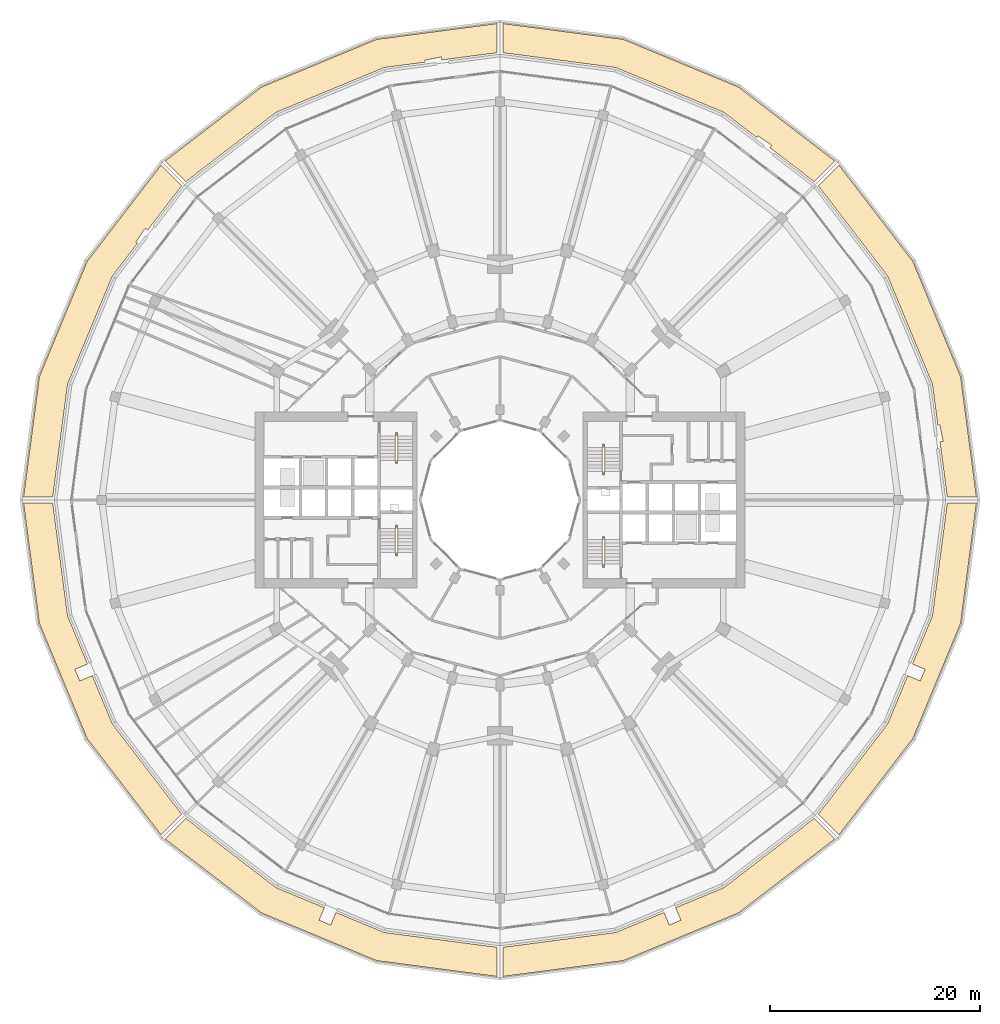
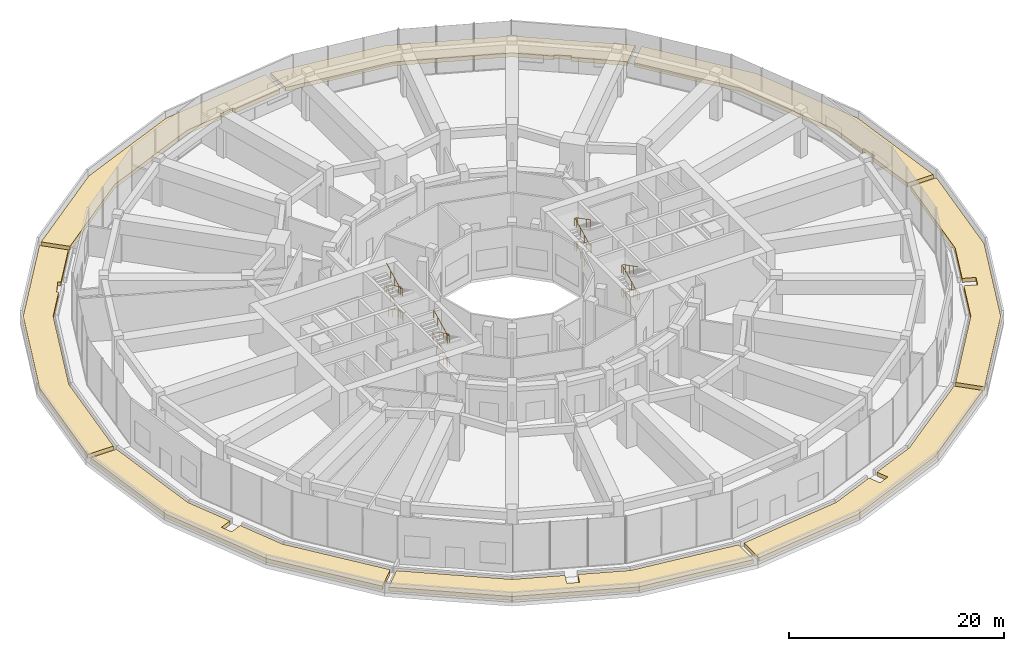
# One storey, part 29 of 30: 8 coverings, 4 railings.
"""IFC4 building model written with IfcOpenShell, lengths in metres."""

import ifcopenshell
import ifcopenshell.guid

model = None  # the IFC model being written
_history = None  # IfcOwnerHistory: only IFC2X3 demands one
_inside = {}  # id of a spatial element -> (the spatial element, [elements in it])
_under = {}  # id of a project, library or spatial element -> (it, [spatial elements below it])
_declared = {}  # id of a project -> (the project, [libraries it declares])
_typed = {}  # id of a type object -> (the type object, [elements of that type])
_made_of = {}  # id of a material, layer set ... -> (it, [elements and type objects made of it])


def new_model(schema):
    """Start an empty IFC model of exactly this schema.

    Asked for "IFC4X3", IfcOpenShell would pick the latest addendum, in which some entities
    have other attributes; the version numbers below select the first issue.
    IFC2X3 requires an IfcOwnerHistory on every rooted entity: one is made here for all.
    """
    global model, _history
    if schema == "IFC4X3":
        model = ifcopenshell.file(schema_version=(4, 3, 0, 0))
    else:
        model = ifcopenshell.file(schema=schema)
    _inside.clear()
    _under.clear()
    _declared.clear()
    _typed.clear()
    _made_of.clear()
    _history = None
    if model.schema == "IFC2X3":
        org = make("IfcOrganization", Name="unknown")
        user = make(
            "IfcPersonAndOrganization",
            ThePerson=make("IfcPerson", FamilyName="unknown"),
            TheOrganization=org,
        )
        app = make(
            "IfcApplication",
            ApplicationDeveloper=org,
            Version="unknown",
            ApplicationFullName="unknown",
            ApplicationIdentifier="unknown",
        )
        _history = make(
            "IfcOwnerHistory",
            OwningUser=user,
            OwningApplication=app,
            ChangeAction="ADDED",
            CreationDate=0,
        )
    return model


def make(cls, **values):
    """One entity of the class cls with the attributes given. An attribute that is None is left unset."""
    return model.create_entity(
        cls, **{name: value for name, value in values.items() if value is not None}
    )


def rooted(cls, **values):
    """An entity with a GlobalId (a new one), such as an element, a storey or a relation."""
    return make(cls, GlobalId=ifcopenshell.guid.new(), OwnerHistory=_history, **values)


def si_unit(unit_type, name, prefix=None):
    """IfcSIUnit, for example si_unit("LENGTHUNIT", "METRE", prefix="MILLI")."""
    return make("IfcSIUnit", UnitType=unit_type, Prefix=prefix, Name=name)


def assignment(units):
    """IfcUnitAssignment: the units of a project."""
    return None if units is None else make("IfcUnitAssignment", Units=units)


def point(xyz):
    """IfcCartesianPoint."""
    return None if xyz is None else make("IfcCartesianPoint", Coordinates=xyz)


def direction(xyz):
    """IfcDirection."""
    return None if xyz is None else make("IfcDirection", DirectionRatios=xyz)


def frame(location, z_axis=None, x_axis=None):
    """IfcAxis2Placement3D, a coordinate frame: its origin and axes. An axis left out is left unset."""
    return make(
        "IfcAxis2Placement3D",
        Location=point(location),
        Axis=direction(z_axis),
        RefDirection=direction(x_axis),
    )


def frame_2d(location, x_axis=None):
    """IfcAxis2Placement2D, a coordinate frame in the plane: its origin and x axis."""
    return make(
        "IfcAxis2Placement2D", Location=point(location), RefDirection=direction(x_axis)
    )


def origin():
    """The frame at (0, 0, 0) with its axes left unset."""
    return frame((0.0, 0.0, 0.0))


def origin_2d():
    """The frame at (0, 0) in the plane with its x axis left unset."""
    return frame_2d((0.0, 0.0))


def place(relative_to, where):
    """IfcLocalPlacement: puts the frame where relative to a parent placement (None: the world)."""
    return make(
        "IfcLocalPlacement", PlacementRelTo=relative_to, RelativePlacement=where
    )


def context(
    kind, dimensions, precision=None, world=None, true_north=None, identifier=None
):
    """IfcGeometricRepresentationContext, for example the 3D "Model" context."""
    return make(
        "IfcGeometricRepresentationContext",
        ContextIdentifier=identifier,
        ContextType=kind,
        CoordinateSpaceDimension=dimensions,
        Precision=precision,
        WorldCoordinateSystem=world,
        TrueNorth=true_north,
    )


def subcontext(parent, identifier, kind, view, scale=None):
    """IfcGeometricRepresentationSubContext, for example "Body" below "Model"."""
    return make(
        "IfcGeometricRepresentationSubContext",
        ContextIdentifier=identifier,
        ContextType=kind,
        ParentContext=parent,
        TargetScale=scale,
        TargetView=view,
    )


def project(units=None, contexts=None):
    """IfcProject with its units and contexts."""
    return rooted(
        "IfcProject",
        Name="project",
        RepresentationContexts=contexts,
        UnitsInContext=assignment(units),
    )


def spatial(cls, under=None, at=None, **own):
    """A site, building, storey or space (cls), placed at a placement, below another one or the project."""
    s = rooted(cls, ObjectPlacement=at, **own)
    if under is not None:
        _under.setdefault(under.id(), (under, []))[1].append(s)
    return s


def polyline(points):
    """IfcPolyline through the points."""
    return make("IfcPolyline", Points=[point(p) for p in points])


def profile(cls, at=None, kind="AREA", **sizes):
    """A parametric profile (cls). Its sizes go by their IFC names, for example OverallWidth=200.0."""
    return make(cls, ProfileType=kind, Position=at, **sizes)


def circle(**sizes):
    """IfcCircleProfileDef."""
    return profile("IfcCircleProfileDef", **sizes)


def outline(outer, holes=None, kind="AREA"):
    """IfcArbitraryClosedProfileDef: a profile drawn as a closed curve; with holes, ...WithVoids."""
    if holes is None:
        return make("IfcArbitraryClosedProfileDef", ProfileType=kind, OuterCurve=outer)
    return make(
        "IfcArbitraryProfileDefWithVoids",
        ProfileType=kind,
        OuterCurve=outer,
        InnerCurves=holes,
    )


def extrude(swept, where, along, depth):
    """IfcExtrudedAreaSolid: the profile swept, set in the frame where, extruded along a direction by depth."""
    return make(
        "IfcExtrudedAreaSolid",
        SweptArea=swept,
        Position=where,
        ExtrudedDirection=direction(along),
        Depth=depth,
    )


def shape(context_of_items, identifier, shape_type, items):
    """IfcShapeRepresentation: the items that make up one representation, for example the "Body"."""
    return make(
        "IfcShapeRepresentation",
        ContextOfItems=context_of_items,
        RepresentationIdentifier=identifier,
        RepresentationType=shape_type,
        Items=items,
    )


def material(Name=None, Category=None):
    """IfcMaterial."""
    return make("IfcMaterial", Name=Name, Category=Category)


def layer(
    of_material, thickness, ventilated=None, Name=None, Category=None, Priority=None
):
    """IfcMaterialLayer: one layer of a wall or slab, of a material (None: an air gap)."""
    return make(
        "IfcMaterialLayer",
        Material=of_material,
        LayerThickness=thickness,
        IsVentilated=ventilated,
        Name=Name,
        Category=Category,
        Priority=Priority,
    )


def layer_set(layers, Name=None):
    """IfcMaterialLayerSet."""
    return make("IfcMaterialLayerSet", MaterialLayers=layers, LayerSetName=Name)


def made_of(thing, what):
    """Note that an element or type object is made of a material, layer set ...; save() writes the relation."""
    if what is not None:
        _made_of.setdefault(what.id(), (what, []))[1].append(thing)
    return thing


def type_object(cls, material=None, **own):
    """A type object (cls), such as IfcWallType, which elements share."""
    return made_of(rooted(cls, **own), material)


def element(
    cls,
    number,
    at=None,
    inside=None,
    cuts=None,
    type_object=None,
    material=None,
    context=None,
    identifier="Body",
    shape_type=None,
    held_by="IfcProductDefinitionShape",
    body=None,
    shapes=None,
    **own,
):
    """One element of the class cls, such as IfcWall. Its Tag is "e" and its number.

    at: its placement. inside: the storey or other place that contains it. cuts: it is an
    opening in that element (IfcRelVoidsElement). A single representation is given by context,
    identifier, shape_type and body (its items); several are given by shapes. held_by: the class
    of the entity that holds the representations. save() writes the other relations.
    """
    e = rooted(cls, Tag="e%d" % number, ObjectPlacement=at, **own)
    if body is not None:
        shapes = [shape(context, identifier, shape_type, body)]
    if shapes is not None:
        e.Representation = make(held_by, Representations=shapes)
    if inside is not None:
        _inside.setdefault(inside.id(), (inside, []))[1].append(e)
    if cuts is not None:
        rooted(
            "IfcRelVoidsElement", RelatingBuildingElement=cuts, RelatedOpeningElement=e
        )
    if type_object is not None:
        _typed.setdefault(type_object.id(), (type_object, []))[1].append(e)
    return made_of(e, material)


def aggregate(whole, parts):
    """IfcRelAggregates: a whole, such as a stair, and the parts it consists of."""
    return rooted("IfcRelAggregates", RelatingObject=whole, RelatedObjects=parts)


def save(model, path):
    """Write the relations noted so far, then the file.

    IfcRelAggregates (storeys below a building ...), IfcRelContainedInSpatialStructure (elements
    in a storey), IfcRelDefinesByType, IfcRelAssociatesMaterial and IfcRelDeclares: one each for
    every whole, place, type object, material and project.
    """
    for whole, parts in _under.values():
        aggregate(whole, parts)
    for where, things in _inside.values():
        rooted(
            "IfcRelContainedInSpatialStructure",
            RelatedElements=things,
            RelatingStructure=where,
        )
    for kind, things in _typed.values():
        rooted("IfcRelDefinesByType", RelatedObjects=things, RelatingType=kind)
    for what, things in _made_of.values():
        rooted("IfcRelAssociatesMaterial", RelatedObjects=things, RelatingMaterial=what)
    for by, libraries in _declared.values():
        rooted("IfcRelDeclares", RelatingContext=by, RelatedDefinitions=libraries)
    model.write(path)


model = new_model("IFC4")

# Units and contexts
model_context = context("Model", 3, precision=1e-05, world=origin(), true_north=direction((0.0, 1.0)))
body_context = subcontext(model_context, "Body", "Model", "MODEL_VIEW")
ifc_project = project(units=[si_unit("LENGTHUNIT", "METRE"), si_unit("AREAUNIT", "SQUARE_METRE"), si_unit("VOLUMEUNIT", "CUBIC_METRE"), si_unit("PLANEANGLEUNIT", "RADIAN"), si_unit("MASSUNIT", "GRAM", prefix="KILO")], contexts=[model_context])

# Site, building, storey
site_placement = place(None, origin())
site = spatial("IfcSite", under=ifc_project, at=site_placement, CompositionType="ELEMENT")
building_placement = place(site_placement, origin())
building = spatial("IfcBuilding", under=site, at=building_placement, Name="Torre Brocal", CompositionType="ELEMENT")
storey_placement = place(building_placement, frame((0.0, 0.0, 7.0)))
storey = spatial("IfcBuildingStorey", under=building, at=storey_placement, Name="L01", CompositionType="ELEMENT", Elevation=7.0)

# Coverings
ifc_material_1 = material(Name="Planting soil")
ifc_layer = layer(ifc_material_1, 0.449951171875)
ifc_layer_set = layer_set([ifc_layer], Name="Planting soil")
covering_type = type_object("IfcCoveringType", Name="PLANTING SOIL 450", PredefinedType="FLOORING", material=ifc_layer_set)
covering_1_placement = place(storey_placement, origin())
element("IfcCovering", 1, at=covering_1_placement, inside=storey, type_object=covering_type, Name="PLANTING SOIL", PredefinedType="FLOORING", context=body_context, shape_type="SweptSolid", body=[
    extrude(outline(polyline([(112.3544921875, 106.93017578125), (119.400390625, 97.747802734375), (123.945556640625, 86.775146484375), (125.456298828125, 75.300048828125), (122.67529296875, 75.300048828125), (121.984375, 80.5478515625), (122.277587890625, 80.60693359375), (121.9619140625, 82.175537109375), (121.77490234375, 82.1376953125), (121.25927734375, 86.055419921875), (116.991943359375, 96.357421875), (110.387939453125, 104.9638671875), (112.3544921875, 106.93017578125)])), origin(), (0.0, 0.0, 1.0), 0.449951171875),
])
covering_2_placement = place(storey_placement, origin())
element("IfcCovering", 2, at=covering_2_placement, inside=storey, type_object=covering_type, Name="PLANTING SOIL", PredefinedType="FLOORING", context=body_context, shape_type="SweptSolid", body=[
    extrude(outline(polyline([(111.93017578125, 107.3544921875), (109.9638671875, 105.387939453125), (105.764404296875, 108.6103515625), (105.93017578125, 108.859619140625), (104.597900390625, 109.745361328125), (104.4921875, 109.586669921875), (101.357421875, 111.991943359375), (91.055419921875, 116.25927734375), (80.300048828125, 117.67529296875), (80.300048828125, 120.456298828125), (91.775146484375, 118.945556640625), (102.747802734375, 114.400390625), (111.93017578125, 107.3544921875)])), origin(), (0.0, 0.0, 1.0), 0.449951171875),
])
covering_3_placement = place(storey_placement, origin())
element("IfcCovering", 3, at=covering_3_placement, inside=storey, type_object=covering_type, Name="PLANTING SOIL", PredefinedType="FLOORING", context=body_context, shape_type="SweptSolid", body=[
    extrude(outline(polyline([(48.06982421875, 107.3544921875), (57.252197265625, 114.400390625), (68.224853515625, 118.945556640625), (79.699951171875, 120.456298828125), (79.699951171875, 117.67529296875), (74.4521484375, 116.984375), (74.39306640625, 117.277587890625), (72.824462890625, 116.9619140625), (72.8623046875, 116.77490234375), (68.944580078125, 116.25927734375), (58.642578125, 111.991943359375), (50.0361328125, 105.387939453125), (48.06982421875, 107.3544921875)])), origin(), (0.0, 0.0, 1.0), 0.449951171875),
])
covering_4_placement = place(storey_placement, origin())
element("IfcCovering", 4, at=covering_4_placement, inside=storey, type_object=covering_type, Name="PLANTING SOIL", PredefinedType="FLOORING", context=body_context, shape_type="SweptSolid", body=[
    extrude(outline(polyline([(47.6455078125, 106.93017578125), (49.612060546875, 104.9638671875), (46.3896484375, 100.764404296875), (46.140380859375, 100.93017578125), (45.254638671875, 99.597900390625), (45.413330078125, 99.4921875), (43.008056640625, 96.357421875), (38.74072265625, 86.055419921875), (37.32470703125, 75.300048828125), (34.543701171875, 75.300048828125), (36.054443359375, 86.775146484375), (40.599609375, 97.747802734375), (47.6455078125, 106.93017578125)])), origin(), (0.0, 0.0, 1.0), 0.449951171875),
])
covering_5_placement = place(storey_placement, origin())
element("IfcCovering", 5, at=covering_5_placement, inside=storey, type_object=covering_type, Name="PLANTING SOIL", PredefinedType="FLOORING", context=body_context, shape_type="SweptSolid", body=[
    extrude(outline(polyline([(34.543701171875, 74.699951171875), (37.32470703125, 74.699951171875), (38.74072265625, 63.944580078125), (40.644775390625, 59.347900390625), (39.44384765625, 58.8505859375), (39.903076171875, 57.741943359375), (41.10400390625, 58.2392578125), (43.008056640625, 53.642578125), (49.612060546875, 45.0361328125), (47.6455078125, 43.06982421875), (40.599609375, 52.252197265625), (36.054443359375, 63.224853515625), (34.543701171875, 74.699951171875)])), origin(), (0.0, 0.0, 1.0), 0.449951171875),
])
covering_6_placement = place(storey_placement, origin())
element("IfcCovering", 6, at=covering_6_placement, inside=storey, type_object=covering_type, Name="PLANTING SOIL", PredefinedType="FLOORING", context=body_context, shape_type="SweptSolid", body=[
    extrude(outline(polyline([(48.06982421875, 42.6455078125), (50.0361328125, 44.612060546875), (58.642578125, 38.008056640625), (63.2392578125, 36.10400390625), (62.741943359375, 34.903076171875), (63.8505859375, 34.44384765625), (64.347900390625, 35.644775390625), (68.944580078125, 33.74072265625), (79.699951171875, 32.32470703125), (79.699951171875, 29.543701171875), (68.224853515625, 31.054443359375), (57.252197265625, 35.599609375), (48.06982421875, 42.6455078125)])), origin(), (0.0, 0.0, 1.0), 0.449951171875),
])
covering_7_placement = place(storey_placement, origin())
element("IfcCovering", 7, at=covering_7_placement, inside=storey, type_object=covering_type, Name="PLANTING SOIL", PredefinedType="FLOORING", context=body_context, shape_type="SweptSolid", body=[
    extrude(outline(polyline([(80.300048828125, 29.543701171875), (80.300048828125, 32.32470703125), (91.055419921875, 33.74072265625), (95.652099609375, 35.644775390625), (96.1494140625, 34.44384765625), (97.258056640625, 34.903076171875), (96.7607421875, 36.10400390625), (101.357421875, 38.008056640625), (109.9638671875, 44.612060546875), (111.93017578125, 42.6455078125), (102.747802734375, 35.599609375), (91.775146484375, 31.054443359375), (80.300048828125, 29.543701171875)])), origin(), (0.0, 0.0, 1.0), 0.449951171875),
])
covering_8_placement = place(storey_placement, origin())
element("IfcCovering", 8, at=covering_8_placement, inside=storey, type_object=covering_type, Name="PLANTING SOIL", PredefinedType="FLOORING", context=body_context, shape_type="SweptSolid", body=[
    extrude(outline(polyline([(116.991943359375, 53.642578125), (118.89599609375, 58.2392578125), (120.096923828125, 57.741943359375), (120.55615234375, 58.8505859375), (119.355224609375, 59.347900390625), (121.25927734375, 63.944580078125), (122.67529296875, 74.699951171875), (125.456298828125, 74.699951171875), (123.945556640625, 63.224853515625), (119.400390625, 52.252197265625), (112.3544921875, 43.06982421875), (110.387939453125, 45.0361328125), (116.991943359375, 53.642578125)])), origin(), (0.0, 0.0, 1.0), 0.449951171875),
])

# Railings
ifc_material_2 = material(Name="Stainless steel AISI 316", Category="steel")
railing_type = type_object("IfcRailingType", Name="STAIR HANDRAIL", PredefinedType="HANDRAIL", material=ifc_material_2)
railing_1_placement = place(storey_placement, frame((89.780029296875, 77.699951171875, 0.168701171875)))
element("IfcRailing", 9, at=railing_1_placement, inside=storey, type_object=railing_type, Name="HANDRAIL ST1", PredefinedType="HANDRAIL", context=body_context, shape_type="SweptSolid", body=[
    extrude(circle(Radius=0.02392578125, at=origin_2d()), frame((0.0, 0.0, 0.8759765625), z_axis=(0.0, 0.89032534587, 0.45532491531), x_axis=(-1.0, 0.0, 0.0)), (0.0, 0.0, 1.0), 2.5947265625),
    extrude(circle(Radius=0.02392578125, at=origin_2d()), frame((0.0, 2.31005859375, 2.05712890625), z_axis=(0.0, 1.0, 0.0), x_axis=(-1.0, 0.0, 0.0)), (0.0, 0.0, 1.0), 0.300048828125),
    extrude(circle(Radius=0.02392578125, at=origin_2d()), frame((0.0, 2.610107421875, 2.05712890625), z_axis=(1.0, 0.0, 0.0), x_axis=(0.0, 1.0, 0.0)), (0.0, 0.0, 1.0), 0.18994140625),
    extrude(circle(Radius=0.02392578125, at=origin_2d()), frame((0.18994140625, 2.610107421875, 2.05712890625), z_axis=(0.0, -0.87167022805, 0.49009286215), x_axis=(1.0, 0.0, 0.0)), (0.0, 0.0, 1.0), 0.34423828125),
    extrude(circle(Radius=0.02392578125, at=origin_2d()), frame((0.18994140625, 2.31005859375, 2.22607421875), z_axis=(0.0, -0.890363489232, 0.455250323495), x_axis=(1.0, 0.0, 0.0)), (0.0, 0.0, 1.0), 2.594482421875),
    extrude(circle(Radius=0.02392578125, at=origin_2d()), frame((0.18994140625, 0.0, 3.4072265625), z_axis=(0.0, -1.0, 0.0), x_axis=(1.0, 0.0, 0.0)), (0.0, 0.0, 1.0), 0.300048828125),
    extrude(circle(Radius=0.02392578125, at=origin_2d()), frame((0.18994140625, -0.300048828125, 3.4072265625), z_axis=(-1.0, 0.0, 0.0), x_axis=(0.0, -1.0, 0.0)), (0.0, 0.0, 1.0), 0.18994140625),
    extrude(circle(Radius=0.02392578125, at=origin_2d()), frame((0.0, -0.300048828125, 3.4072265625), z_axis=(0.0, 0.87167022805, 0.49009286215), x_axis=(-1.0, 0.0, 0.0)), (0.0, 0.0, 1.0), 0.34423828125),
    extrude(circle(Radius=0.02392578125, at=origin_2d()), frame((0.0, 0.0, 3.57568359375), z_axis=(0.0, 0.89032534587, 0.45532491531), x_axis=(-1.0, 0.0, 0.0)), (0.0, 0.0, 1.0), 2.5947265625),
    extrude(circle(Radius=0.02392578125, at=origin_2d()), frame((0.0, 2.31005859375, 4.75732421875), z_axis=(0.0, 1.0, 0.0), x_axis=(-1.0, 0.0, 0.0)), (0.0, 0.0, 1.0), 0.300048828125),
    extrude(circle(Radius=0.02392578125, at=origin_2d()), frame((0.0, 2.610107421875, 4.75732421875), z_axis=(1.0, 0.0, 0.0), x_axis=(0.0, 1.0, 0.0)), (0.0, 0.0, 1.0), 0.18994140625),
    extrude(circle(Radius=0.02392578125, at=origin_2d()), frame((0.18994140625, 2.610107421875, 4.75732421875), z_axis=(0.0, -0.87167022805, 0.49009286215), x_axis=(1.0, 0.0, 0.0)), (0.0, 0.0, 1.0), 0.34423828125),
    extrude(circle(Radius=0.02392578125, at=origin_2d()), frame((0.18994140625, 2.31005859375, 4.92578125), z_axis=(0.0, -0.890363489232, 0.455250323495), x_axis=(1.0, 0.0, 0.0)), (0.0, 0.0, 1.0), 2.594482421875),
    extrude(circle(Radius=0.02099609375, at=origin_2d()), origin(), (0.0, 0.0, 1.0), 0.851806640625),
    extrude(circle(Radius=0.02099609375, at=origin_2d()), frame((0.0, 0.77001953125, 0.393798828125)), (0.0, 0.0, 1.0), 0.851806640625),
    extrude(circle(Radius=0.02099609375, at=origin_2d()), frame((0.0, 1.5400390625, 0.78759765625)), (0.0, 0.0, 1.0), 0.851806640625),
    extrude(circle(Radius=0.02099609375, at=origin_2d()), frame((0.0, 2.31005859375, 1.181396484375)), (0.0, 0.0, 1.0), 0.851806640625),
    extrude(circle(Radius=0.02099609375, at=origin_2d()), frame((0.0, 2.610107421875, 1.181396484375)), (0.0, 0.0, 1.0), 0.851806640625),
    extrude(circle(Radius=0.02099609375, at=origin_2d()), frame((0.18994140625, 2.610107421875, 1.181396484375)), (0.0, 0.0, 1.0), 0.851806640625),
    extrude(circle(Radius=0.02099609375, at=origin_2d()), frame((0.18994140625, 2.31005859375, 1.35009765625)), (0.0, 0.0, 1.0), 0.851806640625),
    extrude(circle(Radius=0.02099609375, at=origin_2d()), frame((0.18994140625, 1.5400390625, 1.743896484375)), (0.0, 0.0, 1.0), 0.851806640625),
    extrude(circle(Radius=0.02099609375, at=origin_2d()), frame((0.18994140625, 0.77001953125, 2.137451171875)), (0.0, 0.0, 1.0), 0.851806640625),
    extrude(circle(Radius=0.02099609375, at=origin_2d()), frame((0.18994140625, 0.0, 2.53125)), (0.0, 0.0, 1.0), 0.851806640625),
    extrude(circle(Radius=0.02099609375, at=origin_2d()), frame((0.18994140625, -0.300048828125, 2.53125)), (0.0, 0.0, 1.0), 0.851806640625),
    extrude(circle(Radius=0.02099609375, at=origin_2d()), frame((0.0, -0.300048828125, 2.53125)), (0.0, 0.0, 1.0), 0.851806640625),
    extrude(circle(Radius=0.02099609375, at=origin_2d()), frame((0.0, 0.0, 2.699951171875)), (0.0, 0.0, 1.0), 0.851806640625),
    extrude(circle(Radius=0.02099609375, at=origin_2d()), frame((0.0, 0.77001953125, 3.09375)), (0.0, 0.0, 1.0), 0.851806640625),
    extrude(circle(Radius=0.02099609375, at=origin_2d()), frame((0.0, 1.5400390625, 3.487548828125)), (0.0, 0.0, 1.0), 0.851806640625),
    extrude(circle(Radius=0.02099609375, at=origin_2d()), frame((0.0, 2.31005859375, 3.88134765625)), (0.0, 0.0, 1.0), 0.851806640625),
    extrude(circle(Radius=0.02099609375, at=origin_2d()), frame((0.0, 2.610107421875, 3.88134765625)), (0.0, 0.0, 1.0), 0.851806640625),
    extrude(circle(Radius=0.02099609375, at=origin_2d()), frame((0.18994140625, 2.610107421875, 3.88134765625)), (0.0, 0.0, 1.0), 0.851806640625),
    extrude(circle(Radius=0.02099609375, at=origin_2d()), frame((0.18994140625, 2.31005859375, 4.050048828125)), (0.0, 0.0, 1.0), 0.851806640625),
    extrude(circle(Radius=0.02099609375, at=origin_2d()), frame((0.18994140625, 1.5400390625, 4.44384765625)), (0.0, 0.0, 1.0), 0.851806640625),
    extrude(circle(Radius=0.02099609375, at=origin_2d()), frame((0.18994140625, 0.77001953125, 4.83740234375)), (0.0, 0.0, 1.0), 0.851806640625),
    extrude(circle(Radius=0.02099609375, at=origin_2d()), frame((0.18994140625, 0.0, 5.231201171875)), (0.0, 0.0, 1.0), 0.851806640625),
])
railing_2_placement = place(storey_placement, frame((89.780029296875, 68.89990234375, 0.168701171875)))
element("IfcRailing", 10, at=railing_2_placement, inside=storey, type_object=railing_type, Name="HANDRAIL ST2", PredefinedType="HANDRAIL", context=body_context, shape_type="SweptSolid", body=[
    extrude(circle(Radius=0.02392578125, at=origin_2d()), frame((0.0, 0.0, 0.8759765625), z_axis=(0.0, 0.89032534587, 0.45532491531), x_axis=(-1.0, 0.0, 0.0)), (0.0, 0.0, 1.0), 2.5947265625),
    extrude(circle(Radius=0.02392578125, at=origin_2d()), frame((0.0, 2.31005859375, 2.05712890625), z_axis=(0.0, 1.0, 0.0), x_axis=(-1.0, 0.0, 0.0)), (0.0, 0.0, 1.0), 0.300048828125),
    extrude(circle(Radius=0.02392578125, at=origin_2d()), frame((0.0, 2.610107421875, 2.05712890625), z_axis=(1.0, 0.0, 0.0), x_axis=(0.0, 1.0, 0.0)), (0.0, 0.0, 1.0), 0.18994140625),
    extrude(circle(Radius=0.02392578125, at=origin_2d()), frame((0.18994140625, 2.610107421875, 2.05712890625), z_axis=(0.0, -0.87167022805, 0.49009286215), x_axis=(1.0, 0.0, 0.0)), (0.0, 0.0, 1.0), 0.34423828125),
    extrude(circle(Radius=0.02392578125, at=origin_2d()), frame((0.18994140625, 2.31005859375, 2.22607421875), z_axis=(0.0, -0.890363489232, 0.455250323495), x_axis=(1.0, 0.0, 0.0)), (0.0, 0.0, 1.0), 2.594482421875),
    extrude(circle(Radius=0.02392578125, at=origin_2d()), frame((0.18994140625, 0.0, 3.4072265625), z_axis=(0.0, -1.0, 0.0), x_axis=(1.0, 0.0, 0.0)), (0.0, 0.0, 1.0), 0.2998046875),
    extrude(circle(Radius=0.02392578125, at=origin_2d()), frame((0.18994140625, -0.2998046875, 3.4072265625), z_axis=(-1.0, 0.0, 0.0), x_axis=(0.0, -1.0, 0.0)), (0.0, 0.0, 1.0), 0.18994140625),
    extrude(circle(Radius=0.02392578125, at=origin_2d()), frame((0.0, -0.2998046875, 3.4072265625), z_axis=(0.0, 0.871499714088, 0.490396011755), x_axis=(-1.0, 0.0, 0.0)), (0.0, 0.0, 1.0), 0.343994140625),
    extrude(circle(Radius=0.02392578125, at=origin_2d()), frame((0.0, 0.0, 3.57568359375), z_axis=(0.0, 0.89032534587, 0.45532491531), x_axis=(-1.0, 0.0, 0.0)), (0.0, 0.0, 1.0), 2.5947265625),
    extrude(circle(Radius=0.02392578125, at=origin_2d()), frame((0.0, 2.31005859375, 4.75732421875), z_axis=(0.0, 1.0, 0.0), x_axis=(-1.0, 0.0, 0.0)), (0.0, 0.0, 1.0), 0.300048828125),
    extrude(circle(Radius=0.02392578125, at=origin_2d()), frame((0.0, 2.610107421875, 4.75732421875), z_axis=(1.0, 0.0, 0.0), x_axis=(0.0, 1.0, 0.0)), (0.0, 0.0, 1.0), 0.18994140625),
    extrude(circle(Radius=0.02392578125, at=origin_2d()), frame((0.18994140625, 2.610107421875, 4.75732421875), z_axis=(0.0, -0.87167022805, 0.49009286215), x_axis=(1.0, 0.0, 0.0)), (0.0, 0.0, 1.0), 0.34423828125),
    extrude(circle(Radius=0.02392578125, at=origin_2d()), frame((0.18994140625, 2.31005859375, 4.92578125), z_axis=(0.0, -0.890363489232, 0.455250323495), x_axis=(1.0, 0.0, 0.0)), (0.0, 0.0, 1.0), 2.594482421875),
    extrude(circle(Radius=0.02099609375, at=origin_2d()), origin(), (0.0, 0.0, 1.0), 0.851806640625),
    extrude(circle(Radius=0.02099609375, at=origin_2d()), frame((0.0, 0.77001953125, 0.393798828125)), (0.0, 0.0, 1.0), 0.851806640625),
    extrude(circle(Radius=0.02099609375, at=origin_2d()), frame((0.0, 1.5400390625, 0.78759765625)), (0.0, 0.0, 1.0), 0.851806640625),
    extrude(circle(Radius=0.02099609375, at=origin_2d()), frame((0.0, 2.31005859375, 1.181396484375)), (0.0, 0.0, 1.0), 0.851806640625),
    extrude(circle(Radius=0.02099609375, at=origin_2d()), frame((0.0, 2.610107421875, 1.181396484375)), (0.0, 0.0, 1.0), 0.851806640625),
    extrude(circle(Radius=0.02099609375, at=origin_2d()), frame((0.18994140625, 2.610107421875, 1.181396484375)), (0.0, 0.0, 1.0), 0.851806640625),
    extrude(circle(Radius=0.02099609375, at=origin_2d()), frame((0.18994140625, 2.31005859375, 1.35009765625)), (0.0, 0.0, 1.0), 0.851806640625),
    extrude(circle(Radius=0.02099609375, at=origin_2d()), frame((0.18994140625, 1.5400390625, 1.743896484375)), (0.0, 0.0, 1.0), 0.851806640625),
    extrude(circle(Radius=0.02099609375, at=origin_2d()), frame((0.18994140625, 0.77001953125, 2.137451171875)), (0.0, 0.0, 1.0), 0.851806640625),
    extrude(circle(Radius=0.02099609375, at=origin_2d()), frame((0.18994140625, 0.0, 2.53125)), (0.0, 0.0, 1.0), 0.851806640625),
    extrude(circle(Radius=0.02099609375, at=origin_2d()), frame((0.18994140625, -0.2998046875, 2.53125)), (0.0, 0.0, 1.0), 0.851806640625),
    extrude(circle(Radius=0.02099609375, at=origin_2d()), frame((0.0, -0.2998046875, 2.53125)), (0.0, 0.0, 1.0), 0.851806640625),
    extrude(circle(Radius=0.02099609375, at=origin_2d()), frame((0.0, 0.0, 2.699951171875)), (0.0, 0.0, 1.0), 0.851806640625),
    extrude(circle(Radius=0.02099609375, at=origin_2d()), frame((0.0, 0.77001953125, 3.09375)), (0.0, 0.0, 1.0), 0.851806640625),
    extrude(circle(Radius=0.02099609375, at=origin_2d()), frame((0.0, 1.5400390625, 3.487548828125)), (0.0, 0.0, 1.0), 0.851806640625),
    extrude(circle(Radius=0.02099609375, at=origin_2d()), frame((0.0, 2.31005859375, 3.88134765625)), (0.0, 0.0, 1.0), 0.851806640625),
    extrude(circle(Radius=0.02099609375, at=origin_2d()), frame((0.0, 2.610107421875, 3.88134765625)), (0.0, 0.0, 1.0), 0.851806640625),
    extrude(circle(Radius=0.02099609375, at=origin_2d()), frame((0.18994140625, 2.610107421875, 3.88134765625)), (0.0, 0.0, 1.0), 0.851806640625),
    extrude(circle(Radius=0.02099609375, at=origin_2d()), frame((0.18994140625, 2.31005859375, 4.050048828125)), (0.0, 0.0, 1.0), 0.851806640625),
    extrude(circle(Radius=0.02099609375, at=origin_2d()), frame((0.18994140625, 1.5400390625, 4.44384765625)), (0.0, 0.0, 1.0), 0.851806640625),
    extrude(circle(Radius=0.02099609375, at=origin_2d()), frame((0.18994140625, 0.77001953125, 4.83740234375)), (0.0, 0.0, 1.0), 0.851806640625),
    extrude(circle(Radius=0.02099609375, at=origin_2d()), frame((0.18994140625, 0.0, 5.231201171875)), (0.0, 0.0, 1.0), 0.851806640625),
])
railing_3_placement = place(storey_placement, frame((70.219970703125, 72.300048828125, 0.168701171875)))
element("IfcRailing", 11, at=railing_3_placement, inside=storey, type_object=railing_type, Name="HANDRAIL ST3", PredefinedType="HANDRAIL", context=body_context, shape_type="SweptSolid", body=[
    extrude(circle(Radius=0.02392578125, at=origin_2d()), frame((0.0, 0.0, 0.8759765625), z_axis=(0.0, -0.89032534587, 0.45532491531), x_axis=(1.0, 0.0, 0.0)), (0.0, 0.0, 1.0), 2.5947265625),
    extrude(circle(Radius=0.02392578125, at=origin_2d()), frame((0.0, -2.31005859375, 2.05712890625), z_axis=(0.0, -1.0, 0.0), x_axis=(1.0, 0.0, 0.0)), (0.0, 0.0, 1.0), 0.300048828125),
    extrude(circle(Radius=0.02392578125, at=origin_2d()), frame((0.0, -2.610107421875, 2.05712890625), z_axis=(-1.0, 0.0, 0.0), x_axis=(0.0, -1.0, 0.0)), (0.0, 0.0, 1.0), 0.18994140625),
    extrude(circle(Radius=0.02392578125, at=origin_2d()), frame((-0.18994140625, -2.610107421875, 2.05712890625), z_axis=(0.0, 0.87167022805, 0.49009286215), x_axis=(-1.0, 0.0, 0.0)), (0.0, 0.0, 1.0), 0.34423828125),
    extrude(circle(Radius=0.02392578125, at=origin_2d()), frame((-0.18994140625, -2.31005859375, 2.22607421875), z_axis=(0.0, 0.890363489232, 0.455250323495), x_axis=(-1.0, 0.0, 0.0)), (0.0, 0.0, 1.0), 2.594482421875),
    extrude(circle(Radius=0.02392578125, at=origin_2d()), frame((-0.18994140625, 0.0, 3.4072265625), z_axis=(0.0, 1.0, 0.0), x_axis=(-1.0, 0.0, 0.0)), (0.0, 0.0, 1.0), 0.300048828125),
    extrude(circle(Radius=0.02392578125, at=origin_2d()), frame((-0.18994140625, 0.300048828125, 3.4072265625), z_axis=(1.0, 0.0, 0.0), x_axis=(0.0, 1.0, 0.0)), (0.0, 0.0, 1.0), 0.18994140625),
    extrude(circle(Radius=0.02392578125, at=origin_2d()), frame((0.0, 0.300048828125, 3.4072265625), z_axis=(0.0, -0.87167022805, 0.49009286215), x_axis=(1.0, 0.0, 0.0)), (0.0, 0.0, 1.0), 0.34423828125),
    extrude(circle(Radius=0.02392578125, at=origin_2d()), frame((0.0, 0.0, 3.57568359375), z_axis=(0.0, -0.89032534587, 0.45532491531), x_axis=(1.0, 0.0, 0.0)), (0.0, 0.0, 1.0), 2.5947265625),
    extrude(circle(Radius=0.02392578125, at=origin_2d()), frame((0.0, -2.31005859375, 4.75732421875), z_axis=(0.0, -1.0, 0.0), x_axis=(1.0, 0.0, 0.0)), (0.0, 0.0, 1.0), 0.300048828125),
    extrude(circle(Radius=0.02392578125, at=origin_2d()), frame((0.0, -2.610107421875, 4.75732421875), z_axis=(-1.0, 0.0, 0.0), x_axis=(0.0, -1.0, 0.0)), (0.0, 0.0, 1.0), 0.18994140625),
    extrude(circle(Radius=0.02392578125, at=origin_2d()), frame((-0.18994140625, -2.610107421875, 4.75732421875), z_axis=(0.0, 0.87167022805, 0.49009286215), x_axis=(-1.0, 0.0, 0.0)), (0.0, 0.0, 1.0), 0.34423828125),
    extrude(circle(Radius=0.02392578125, at=origin_2d()), frame((-0.18994140625, -2.31005859375, 4.92578125), z_axis=(0.0, 0.890363489232, 0.455250323495), x_axis=(-1.0, 0.0, 0.0)), (0.0, 0.0, 1.0), 2.594482421875),
    extrude(circle(Radius=0.02099609375, at=origin_2d()), origin(), (0.0, 0.0, 1.0), 0.851806640625),
    extrude(circle(Radius=0.02099609375, at=origin_2d()), frame((0.0, -0.77001953125, 0.393798828125)), (0.0, 0.0, 1.0), 0.851806640625),
    extrude(circle(Radius=0.02099609375, at=origin_2d()), frame((0.0, -1.5400390625, 0.78759765625)), (0.0, 0.0, 1.0), 0.851806640625),
    extrude(circle(Radius=0.02099609375, at=origin_2d()), frame((0.0, -2.31005859375, 1.181396484375)), (0.0, 0.0, 1.0), 0.851806640625),
    extrude(circle(Radius=0.02099609375, at=origin_2d()), frame((0.0, -2.610107421875, 1.181396484375)), (0.0, 0.0, 1.0), 0.851806640625),
    extrude(circle(Radius=0.02099609375, at=origin_2d()), frame((-0.18994140625, -2.610107421875, 1.181396484375)), (0.0, 0.0, 1.0), 0.851806640625),
    extrude(circle(Radius=0.02099609375, at=origin_2d()), frame((-0.18994140625, -2.31005859375, 1.35009765625)), (0.0, 0.0, 1.0), 0.851806640625),
    extrude(circle(Radius=0.02099609375, at=origin_2d()), frame((-0.18994140625, -1.5400390625, 1.743896484375)), (0.0, 0.0, 1.0), 0.851806640625),
    extrude(circle(Radius=0.02099609375, at=origin_2d()), frame((-0.18994140625, -0.77001953125, 2.137451171875)), (0.0, 0.0, 1.0), 0.851806640625),
    extrude(circle(Radius=0.02099609375, at=origin_2d()), frame((-0.18994140625, 0.0, 2.53125)), (0.0, 0.0, 1.0), 0.851806640625),
    extrude(circle(Radius=0.02099609375, at=origin_2d()), frame((-0.18994140625, 0.300048828125, 2.53125)), (0.0, 0.0, 1.0), 0.851806640625),
    extrude(circle(Radius=0.02099609375, at=origin_2d()), frame((0.0, 0.300048828125, 2.53125)), (0.0, 0.0, 1.0), 0.851806640625),
    extrude(circle(Radius=0.02099609375, at=origin_2d()), frame((0.0, 0.0, 2.699951171875)), (0.0, 0.0, 1.0), 0.851806640625),
    extrude(circle(Radius=0.02099609375, at=origin_2d()), frame((0.0, -0.77001953125, 3.09375)), (0.0, 0.0, 1.0), 0.851806640625),
    extrude(circle(Radius=0.02099609375, at=origin_2d()), frame((0.0, -1.5400390625, 3.487548828125)), (0.0, 0.0, 1.0), 0.851806640625),
    extrude(circle(Radius=0.02099609375, at=origin_2d()), frame((0.0, -2.31005859375, 3.88134765625)), (0.0, 0.0, 1.0), 0.851806640625),
    extrude(circle(Radius=0.02099609375, at=origin_2d()), frame((0.0, -2.610107421875, 3.88134765625)), (0.0, 0.0, 1.0), 0.851806640625),
    extrude(circle(Radius=0.02099609375, at=origin_2d()), frame((-0.18994140625, -2.610107421875, 3.88134765625)), (0.0, 0.0, 1.0), 0.851806640625),
    extrude(circle(Radius=0.02099609375, at=origin_2d()), frame((-0.18994140625, -2.31005859375, 4.050048828125)), (0.0, 0.0, 1.0), 0.851806640625),
    extrude(circle(Radius=0.02099609375, at=origin_2d()), frame((-0.18994140625, -1.5400390625, 4.44384765625)), (0.0, 0.0, 1.0), 0.851806640625),
    extrude(circle(Radius=0.02099609375, at=origin_2d()), frame((-0.18994140625, -0.77001953125, 4.83740234375)), (0.0, 0.0, 1.0), 0.851806640625),
    extrude(circle(Radius=0.02099609375, at=origin_2d()), frame((-0.18994140625, 0.0, 5.231201171875)), (0.0, 0.0, 1.0), 0.851806640625),
])
railing_4_placement = place(storey_placement, frame((70.219970703125, 81.10009765625, 0.168701171875)))
element("IfcRailing", 12, at=railing_4_placement, inside=storey, type_object=railing_type, Name="HANDRAIL ST4", PredefinedType="HANDRAIL", context=body_context, shape_type="SweptSolid", body=[
    extrude(circle(Radius=0.02392578125, at=origin_2d()), frame((0.0, 0.0, 0.8759765625), z_axis=(0.0, -0.89032534587, 0.45532491531), x_axis=(1.0, 0.0, 0.0)), (0.0, 0.0, 1.0), 2.5947265625),
    extrude(circle(Radius=0.02392578125, at=origin_2d()), frame((0.0, -2.31005859375, 2.05712890625), z_axis=(0.0, -1.0, 0.0), x_axis=(1.0, 0.0, 0.0)), (0.0, 0.0, 1.0), 0.300048828125),
    extrude(circle(Radius=0.02392578125, at=origin_2d()), frame((0.0, -2.610107421875, 2.05712890625), z_axis=(-1.0, 0.0, 0.0), x_axis=(0.0, -1.0, 0.0)), (0.0, 0.0, 1.0), 0.18994140625),
    extrude(circle(Radius=0.02392578125, at=origin_2d()), frame((-0.18994140625, -2.610107421875, 2.05712890625), z_axis=(0.0, 0.87167022805, 0.49009286215), x_axis=(-1.0, 0.0, 0.0)), (0.0, 0.0, 1.0), 0.34423828125),
    extrude(circle(Radius=0.02392578125, at=origin_2d()), frame((-0.18994140625, -2.31005859375, 2.22607421875), z_axis=(0.0, 0.890363489232, 0.455250323495), x_axis=(-1.0, 0.0, 0.0)), (0.0, 0.0, 1.0), 2.594482421875),
    extrude(circle(Radius=0.02392578125, at=origin_2d()), frame((-0.18994140625, 0.0, 3.4072265625), z_axis=(0.0, 1.0, 0.0), x_axis=(-1.0, 0.0, 0.0)), (0.0, 0.0, 1.0), 0.2998046875),
    extrude(circle(Radius=0.02392578125, at=origin_2d()), frame((-0.18994140625, 0.2998046875, 3.4072265625), z_axis=(1.0, 0.0, 0.0), x_axis=(0.0, 1.0, 0.0)), (0.0, 0.0, 1.0), 0.18994140625),
    extrude(circle(Radius=0.02392578125, at=origin_2d()), frame((0.0, 0.2998046875, 3.4072265625), z_axis=(0.0, -0.871499714088, 0.490396011755), x_axis=(1.0, 0.0, 0.0)), (0.0, 0.0, 1.0), 0.343994140625),
    extrude(circle(Radius=0.02392578125, at=origin_2d()), frame((0.0, 0.0, 3.57568359375), z_axis=(0.0, -0.89032534587, 0.45532491531), x_axis=(1.0, 0.0, 0.0)), (0.0, 0.0, 1.0), 2.5947265625),
    extrude(circle(Radius=0.02392578125, at=origin_2d()), frame((0.0, -2.31005859375, 4.75732421875), z_axis=(0.0, -1.0, 0.0), x_axis=(1.0, 0.0, 0.0)), (0.0, 0.0, 1.0), 0.300048828125),
    extrude(circle(Radius=0.02392578125, at=origin_2d()), frame((0.0, -2.610107421875, 4.75732421875), z_axis=(-1.0, 0.0, 0.0), x_axis=(0.0, -1.0, 0.0)), (0.0, 0.0, 1.0), 0.18994140625),
    extrude(circle(Radius=0.02392578125, at=origin_2d()), frame((-0.18994140625, -2.610107421875, 4.75732421875), z_axis=(0.0, 0.87167022805, 0.49009286215), x_axis=(-1.0, 0.0, 0.0)), (0.0, 0.0, 1.0), 0.34423828125),
    extrude(circle(Radius=0.02392578125, at=origin_2d()), frame((-0.18994140625, -2.31005859375, 4.92578125), z_axis=(0.0, 0.890363489232, 0.455250323495), x_axis=(-1.0, 0.0, 0.0)), (0.0, 0.0, 1.0), 2.594482421875),
    extrude(circle(Radius=0.02099609375, at=origin_2d()), origin(), (0.0, 0.0, 1.0), 0.851806640625),
    extrude(circle(Radius=0.02099609375, at=origin_2d()), frame((0.0, -0.77001953125, 0.393798828125)), (0.0, 0.0, 1.0), 0.851806640625),
    extrude(circle(Radius=0.02099609375, at=origin_2d()), frame((0.0, -1.5400390625, 0.78759765625)), (0.0, 0.0, 1.0), 0.851806640625),
    extrude(circle(Radius=0.02099609375, at=origin_2d()), frame((0.0, -2.31005859375, 1.181396484375)), (0.0, 0.0, 1.0), 0.851806640625),
    extrude(circle(Radius=0.02099609375, at=origin_2d()), frame((0.0, -2.610107421875, 1.181396484375)), (0.0, 0.0, 1.0), 0.851806640625),
    extrude(circle(Radius=0.02099609375, at=origin_2d()), frame((-0.18994140625, -2.610107421875, 1.181396484375)), (0.0, 0.0, 1.0), 0.851806640625),
    extrude(circle(Radius=0.02099609375, at=origin_2d()), frame((-0.18994140625, -2.31005859375, 1.35009765625)), (0.0, 0.0, 1.0), 0.851806640625),
    extrude(circle(Radius=0.02099609375, at=origin_2d()), frame((-0.18994140625, -1.5400390625, 1.743896484375)), (0.0, 0.0, 1.0), 0.851806640625),
    extrude(circle(Radius=0.02099609375, at=origin_2d()), frame((-0.18994140625, -0.77001953125, 2.137451171875)), (0.0, 0.0, 1.0), 0.851806640625),
    extrude(circle(Radius=0.02099609375, at=origin_2d()), frame((-0.18994140625, 0.0, 2.53125)), (0.0, 0.0, 1.0), 0.851806640625),
    extrude(circle(Radius=0.02099609375, at=origin_2d()), frame((-0.18994140625, 0.2998046875, 2.53125)), (0.0, 0.0, 1.0), 0.851806640625),
    extrude(circle(Radius=0.02099609375, at=origin_2d()), frame((0.0, 0.2998046875, 2.53125)), (0.0, 0.0, 1.0), 0.851806640625),
    extrude(circle(Radius=0.02099609375, at=origin_2d()), frame((0.0, 0.0, 2.699951171875)), (0.0, 0.0, 1.0), 0.851806640625),
    extrude(circle(Radius=0.02099609375, at=origin_2d()), frame((0.0, -0.77001953125, 3.09375)), (0.0, 0.0, 1.0), 0.851806640625),
    extrude(circle(Radius=0.02099609375, at=origin_2d()), frame((0.0, -1.5400390625, 3.487548828125)), (0.0, 0.0, 1.0), 0.851806640625),
    extrude(circle(Radius=0.02099609375, at=origin_2d()), frame((0.0, -2.31005859375, 3.88134765625)), (0.0, 0.0, 1.0), 0.851806640625),
    extrude(circle(Radius=0.02099609375, at=origin_2d()), frame((0.0, -2.610107421875, 3.88134765625)), (0.0, 0.0, 1.0), 0.851806640625),
    extrude(circle(Radius=0.02099609375, at=origin_2d()), frame((-0.18994140625, -2.610107421875, 3.88134765625)), (0.0, 0.0, 1.0), 0.851806640625),
    extrude(circle(Radius=0.02099609375, at=origin_2d()), frame((-0.18994140625, -2.31005859375, 4.050048828125)), (0.0, 0.0, 1.0), 0.851806640625),
    extrude(circle(Radius=0.02099609375, at=origin_2d()), frame((-0.18994140625, -1.5400390625, 4.44384765625)), (0.0, 0.0, 1.0), 0.851806640625),
    extrude(circle(Radius=0.02099609375, at=origin_2d()), frame((-0.18994140625, -0.77001953125, 4.83740234375)), (0.0, 0.0, 1.0), 0.851806640625),
    extrude(circle(Radius=0.02099609375, at=origin_2d()), frame((-0.18994140625, 0.0, 5.231201171875)), (0.0, 0.0, 1.0), 0.851806640625),
])

save(model, "model.ifc")
